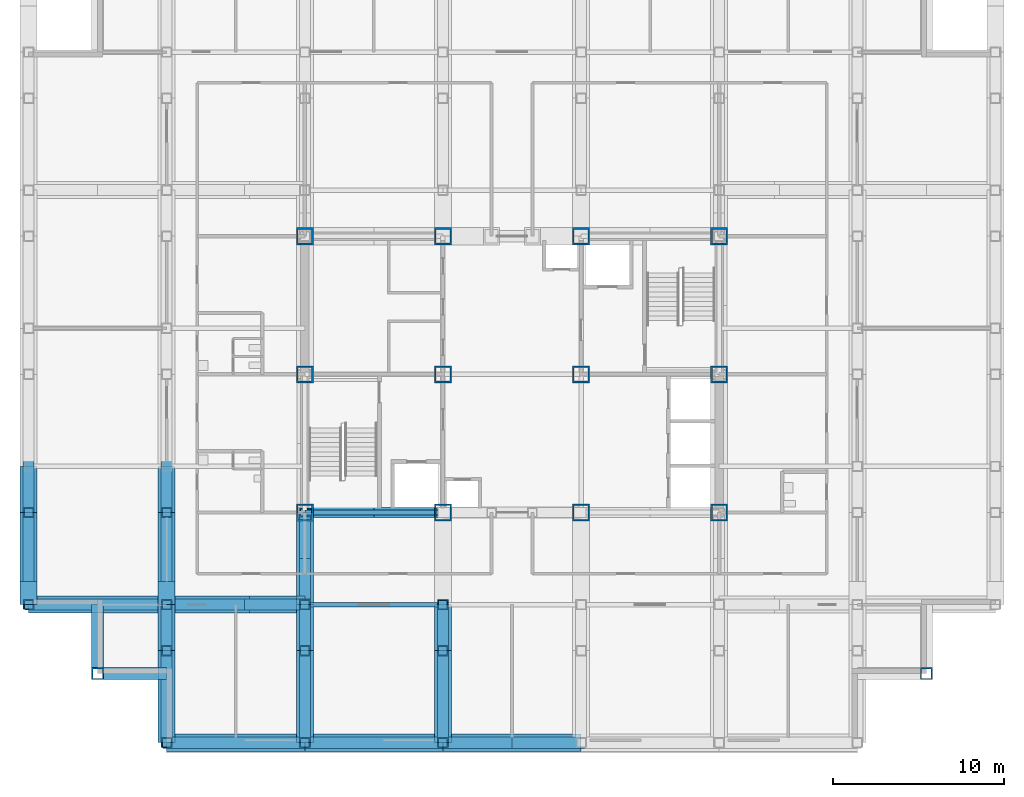
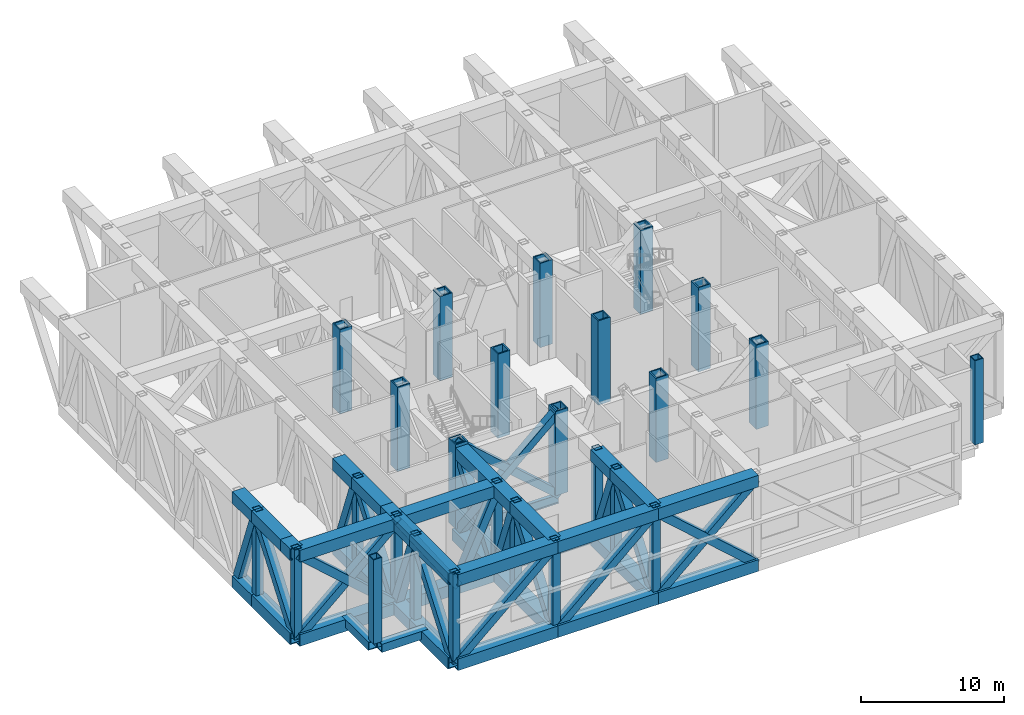
# One storey, part 1 of 13: 69 members, 14 columns, 4 beams.
"""IFC4 building model written with IfcOpenShell, lengths in metres."""

from ifc_helpers import new_model, si_unit, direction, frame, origin, origin_2d, place, context, subcontext, project, spatial, hollow_rectangle, i_section, extrude, material, material_profile, profile_set, type_object, element, save


model = new_model("IFC4")

# Units and contexts
model_context = context("Model", 3, precision=1e-05, world=origin(), true_north=direction((0.0, 1.0)))
body_context = subcontext(model_context, "Body", "Model", "MODEL_VIEW")
ifc_project = project(units=[si_unit("LENGTHUNIT", "METRE"), si_unit("AREAUNIT", "SQUARE_METRE"), si_unit("VOLUMEUNIT", "CUBIC_METRE"), si_unit("PLANEANGLEUNIT", "RADIAN"), si_unit("MASSUNIT", "GRAM", prefix="KILO")], contexts=[model_context])

# Site, building, storey
site_placement = place(None, origin())
site = spatial("IfcSite", under=ifc_project, at=site_placement, CompositionType="ELEMENT")
building_placement = place(site_placement, origin())
building = spatial("IfcBuilding", under=site, at=building_placement, Name="Kopane Lantern Tower", CompositionType="ELEMENT")
storey_placement = place(building_placement, frame((0.0, 0.0, 235.199951171875)))
storey = spatial("IfcBuildingStorey", under=building, at=storey_placement, Name="L61", CompositionType="ELEMENT", Elevation=235.199951171875)

# Columns
ifc_material_1 = material(Name="Steel S355JR", Category="steel")
ifc_material_profile_1 = material_profile(ifc_material_1, hollow_rectangle(XDim=1.0, YDim=1.0, WallThickness=0.10009765625, at=origin_2d()), Name="BOX 1000x1000x100")
ifc_profile_set_1 = profile_set([ifc_material_profile_1], Name="Steel S355JR")
column_type_1 = type_object("IfcColumnType", Name="COLUMN BOX 1000x1000x100", PredefinedType="COLUMN", material=ifc_profile_set_1)
for number, where, z_axis, x_axis, name in (
    (1, (16.199951171875, 24.300048828125, 0.0), (0.0, 0.0, 1.0), (1.0, 0.0, 0.0), "Column 4/E L61"),
    (2, (16.199951171875, 32.39990234375, 0.0), (0.0, 0.0, 1.0), (1.0, 0.0, 0.0), "Column 4/F L61"),
    (3, (16.199951171875, 40.5, 0.0), (0.0, 0.0, 1.0), (1.0, 0.0, 0.0), "Column 4/G L61"),
    (4, (24.300048828125, 24.300048828125, 0.0), (0.0, 0.0, 1.0), (1.0, 0.0, 0.0), "Column 5/E L61"),
    (5, (24.300048828125, 32.39990234375, 0.0), (0.0, 0.0, 1.0), (1.0, 0.0, 0.0), "Column 5/F L61"),
    (6, (24.300048828125, 40.5, 0.0), (0.0, 0.0, 1.0), (1.0, 0.0, 0.0), "Column 5/G L61"),
    (7, (32.39990234375, 24.300048828125, 0.0), (0.0, 0.0, 1.0), (1.0, 0.0, 0.0), "Column 6/E L61"),
    (8, (32.39990234375, 32.39990234375, 0.0), (0.0, 0.0, 1.0), (1.0, 0.0, 0.0), "Column 6/F L61"),
    (9, (32.39990234375, 40.5, 0.0), (0.0, 0.0, 1.0), (1.0, 0.0, 0.0), "Column 6/G L61"),
    (10, (40.5, 24.300048828125, 0.0), (0.0, 0.0, 1.0), (1.0, 0.0, 0.0), "Column 7/E L61"),
    (11, (40.5, 32.39990234375, 0.0), (0.0, 0.0, 1.0), (1.0, 0.0, 0.0), "Column 7/F L61"),
    (12, (40.5, 40.5, 0.0), (0.0, 0.0, 1.0), (1.0, 0.0, 0.0), "Column 7/G L61"),
):
    element("IfcColumn", number, at=place(storey_placement, frame(where, z_axis=z_axis, x_axis=x_axis)), inside=storey, type_object=column_type_1, Name=name, PredefinedType="COLUMN", context=body_context, shape_type="SweptSolid", body=[
        extrude(hollow_rectangle(XDim=1.0, YDim=1.0, WallThickness=0.10009765625, at=origin_2d()), origin(), (0.0, 0.0, 1.0), 7.199951171875),
    ])
ifc_material_2 = material(Name="Steel S355JR", Category="steel")
ifc_material_profile_2 = material_profile(ifc_material_2, hollow_rectangle(XDim=0.699951171875, YDim=0.699951171875, WallThickness=0.070068359375, at=origin_2d()), Name="BOX 700x700x70")
ifc_profile_set_2 = profile_set([ifc_material_profile_2], Name="Steel S355JR")
column_type_2 = type_object("IfcColumnType", Name="COLUMN BOX 700x700x70", PredefinedType="COLUMN", material=ifc_profile_set_2)
for number, where, z_axis, x_axis, name in (
    (13, (4.050048828125, 14.85009765625, 0.0), (0.0, 0.0, 1.0), (1.0, 0.0, 0.0), "Column 4.05/14.85 L61"),
    (14, (52.64990234375, 14.85009765625, 0.0), (0.0, 0.0, 1.0), (1.0, 0.0, 0.0), "Column 52.65/14.85 L61"),
):
    element("IfcColumn", number, at=place(storey_placement, frame(where, z_axis=z_axis, x_axis=x_axis)), inside=storey, type_object=column_type_2, Name=name, PredefinedType="COLUMN", context=body_context, shape_type="SweptSolid", body=[
        extrude(hollow_rectangle(XDim=0.699951171875, YDim=0.699951171875, WallThickness=0.070068359375, at=origin_2d()), origin(), (0.0, 0.0, 1.0), 7.199951171875),
    ])

# Members
ifc_material_3 = material(Name="Steel S355JR", Category="steel")
ifc_material_profile_3 = material_profile(ifc_material_3, hollow_rectangle(XDim=0.60009765625, YDim=0.60009765625, WallThickness=0.06005859375, at=origin_2d()), Name="BOX 600x600x60")
ifc_profile_set_3 = profile_set([ifc_material_profile_3], Name="Steel S355JR")
member_type_1 = type_object("IfcMemberType", Name="BRACE BOX 600x600x60", PredefinedType="BRACE", material=ifc_profile_set_3)
for number, where, z_axis, x_axis, name in (
    (15, (16.199951171875, 24.300048828125, -0.25), (0.747415533118, 0.0, 0.664356847525), (0.0, 1.0, 0.0), "Core brace L61"),
    (16, (24.300048828125, 24.300048828125, -0.25), (-0.747415533118, 0.0, 0.664356847525), (0.0, -1.0, 0.0), "Core brace L61"),
):
    element("IfcMember", number, at=place(storey_placement, frame(where, z_axis=z_axis, x_axis=x_axis)), inside=storey, type_object=member_type_1, Name=name, PredefinedType="BRACE", context=body_context, shape_type="SweptSolid", body=[
        extrude(hollow_rectangle(XDim=0.60009765625, YDim=0.60009765625, WallThickness=0.06005859375, at=origin_2d()), origin(), (0.0, 0.0, 1.0), 10.83740234375),
    ])

# Beams
ifc_material_4 = material(Name="Steel S355JR", Category="steel")
ifc_material_profile_4 = material_profile(ifc_material_4, hollow_rectangle(XDim=0.699951171875, YDim=0.699951171875, WallThickness=0.06005859375, at=origin_2d()), Name="BOX 700x700x60")
ifc_profile_set_4 = profile_set([ifc_material_profile_4], Name="Steel S355JR")
beam_type_1 = type_object("IfcBeamType", Name="EDGE BEAM BOX 700x700x60", PredefinedType="BEAM", material=ifc_profile_set_4)
beam_1_placement = place(storey_placement, frame((4.050048828125, 15.199951171875, -0.599853515625), z_axis=(0.0, 1.0, 0.0), x_axis=(-1.0, 0.0, 0.0)))
element("IfcBeam", 17, at=beam_1_placement, inside=storey, type_object=beam_type_1, Name="Edge Beam L61", PredefinedType="BEAM", context=body_context, shape_type="SweptSolid", body=[
    extrude(hollow_rectangle(XDim=0.699951171875, YDim=0.699951171875, WallThickness=0.06005859375, at=origin_2d()), origin(), (0.0, 0.0, 1.0), 3.699951171875),
])
beam_2_placement = place(storey_placement, frame((4.39990234375, 14.85009765625, -0.599853515625), z_axis=(1.0, 0.0, 0.0), x_axis=(0.0, 1.0, 0.0)))
element("IfcBeam", 18, at=beam_2_placement, inside=storey, type_object=beam_type_1, Name="Edge Beam L61", PredefinedType="BEAM", context=body_context, shape_type="SweptSolid", body=[
    extrude(hollow_rectangle(XDim=0.699951171875, YDim=0.699951171875, WallThickness=0.06005859375, at=origin_2d()), origin(), (0.0, 0.0, 1.0), 3.7001953125),
])
ifc_material_5 = material(Name="Steel S355JR", Category="steel")
ifc_material_profile_5 = material_profile(ifc_material_5, i_section(OverallWidth=0.2666015625, OverallDepth=0.76220703125, WebThickness=0.014404296875, FlangeThickness=0.021484375, FilletRadius=0.0166015625, at=origin_2d()), Name="UB 762x267x173")
ifc_profile_set_5 = profile_set([ifc_material_profile_5], Name="Steel S355JR")
beam_type_2 = type_object("IfcBeamType", Name="GIRDER UB 762x267x173", PredefinedType="BEAM", material=ifc_profile_set_5)
for number, where, z_axis, x_axis, name in (
    (19, (16.199951171875, 18.89990234375, -0.631103515625), (1.0, 0.0, 0.0), (0.0, 1.0, 0.0), "Girder L61"),
    (20, (16.199951171875, 24.300048828125, -0.631103515625), (1.0, 0.0, 0.0), (0.0, 1.0, 0.0), "Girder L61"),
):
    element("IfcBeam", number, at=place(storey_placement, frame(where, z_axis=z_axis, x_axis=x_axis)), inside=storey, type_object=beam_type_2, Name=name, PredefinedType="BEAM", context=body_context, shape_type="SweptSolid", body=[
        extrude(i_section(OverallWidth=0.2666015625, OverallDepth=0.76220703125, WebThickness=0.014404296875, FlangeThickness=0.021484375, FilletRadius=0.0166015625, at=origin_2d()), origin(), (0.0, 0.0, 1.0), 8.10009765625),
    ])

# Members
ifc_material_6 = material(Name="Steel S355JR", Category="steel")
ifc_material_profile_6 = material_profile(ifc_material_6, hollow_rectangle(XDim=1.0, YDim=1.0, WallThickness=0.080078125, at=origin_2d()), Name="BOX 1000x1000x80")
ifc_profile_set_6 = profile_set([ifc_material_profile_6], Name="Steel S355JR")
member_type_2 = type_object("IfcMemberType", Name="TRUSS CHORD BOX 1000x1000x80", PredefinedType="CHORD", material=ifc_profile_set_6)
member_1_placement = place(storey_placement, frame((0.0, 18.89990234375, -0.75), z_axis=(0.0, 1.0, 0.0), x_axis=(-1.0, 0.0, 0.0)))
element("IfcMember", 21, at=member_1_placement, inside=storey, type_object=member_type_2, Name="Transfer truss 2 L61 truss chord", PredefinedType="CHORD", context=body_context, shape_type="SweptSolid", body=[
    extrude(hollow_rectangle(XDim=1.0, YDim=1.0, WallThickness=0.080078125, at=origin_2d()), origin(), (0.0, 0.0, 1.0), 5.400146484375),
])
member_2_placement = place(storey_placement, frame((0.0, 24.300048828125, -0.75), z_axis=(0.0, 1.0, 0.0), x_axis=(-1.0, 0.0, 0.0)))
element("IfcMember", 22, at=member_2_placement, inside=storey, type_object=member_type_2, Name="Transfer truss 2 L61 truss chord", PredefinedType="CHORD", context=body_context, shape_type="SweptSolid", body=[
    extrude(hollow_rectangle(XDim=1.0, YDim=1.0, WallThickness=0.080078125, at=origin_2d()), origin(), (0.0, 0.0, 1.0), 2.699951171875),
])
member_3_placement = place(storey_placement, frame((0.0, 18.89990234375, 6.449951171875), z_axis=(0.0, 1.0, 0.0), x_axis=(-1.0, 0.0, 0.0)))
element("IfcMember", 23, at=member_3_placement, inside=storey, type_object=member_type_2, Name="Transfer truss 2 L61 truss chord", PredefinedType="CHORD", context=body_context, shape_type="SweptSolid", body=[
    extrude(hollow_rectangle(XDim=1.0, YDim=1.0, WallThickness=0.080078125, at=origin_2d()), origin(), (0.0, 0.0, 1.0), 1.35009765625),
])
member_4_placement = place(storey_placement, frame((0.0, 20.25, 6.449951171875), z_axis=(0.0, 1.0, 0.0), x_axis=(-1.0, 0.0, 0.0)))
element("IfcMember", 24, at=member_4_placement, inside=storey, type_object=member_type_2, Name="Transfer truss 2 L61 truss chord", PredefinedType="CHORD", context=body_context, shape_type="SweptSolid", body=[
    extrude(hollow_rectangle(XDim=1.0, YDim=1.0, WallThickness=0.080078125, at=origin_2d()), origin(), (0.0, 0.0, 1.0), 4.050048828125),
])
member_5_placement = place(storey_placement, frame((0.0, 24.300048828125, 6.449951171875), z_axis=(0.0, 1.0, 0.0), x_axis=(-1.0, 0.0, 0.0)))
element("IfcMember", 25, at=member_5_placement, inside=storey, type_object=member_type_2, Name="Transfer truss 2 L61 truss chord", PredefinedType="CHORD", context=body_context, shape_type="SweptSolid", body=[
    extrude(hollow_rectangle(XDim=1.0, YDim=1.0, WallThickness=0.080078125, at=origin_2d()), origin(), (0.0, 0.0, 1.0), 2.699951171875),
])
member_6_placement = place(storey_placement, frame((8.10009765625, 10.800048828125, -0.75), z_axis=(0.0, 1.0, 0.0), x_axis=(-1.0, 0.0, 0.0)))
element("IfcMember", 26, at=member_6_placement, inside=storey, type_object=member_type_2, Name="Transfer truss 3 L61 truss chord", PredefinedType="CHORD", context=body_context, shape_type="SweptSolid", body=[
    extrude(hollow_rectangle(XDim=1.0, YDim=1.0, WallThickness=0.080078125, at=origin_2d()), origin(), (0.0, 0.0, 1.0), 5.39990234375),
])
member_7_placement = place(storey_placement, frame((8.10009765625, 16.199951171875, -0.75), z_axis=(0.0, 1.0, 0.0), x_axis=(-1.0, 0.0, 0.0)))
element("IfcMember", 27, at=member_7_placement, inside=storey, type_object=member_type_2, Name="Transfer truss 3 L61 truss chord", PredefinedType="CHORD", context=body_context, shape_type="SweptSolid", body=[
    extrude(hollow_rectangle(XDim=1.0, YDim=1.0, WallThickness=0.080078125, at=origin_2d()), origin(), (0.0, 0.0, 1.0), 2.699951171875),
])
member_8_placement = place(storey_placement, frame((8.10009765625, 18.89990234375, -0.75), z_axis=(0.0, 1.0, 0.0), x_axis=(-1.0, 0.0, 0.0)))
element("IfcMember", 28, at=member_8_placement, inside=storey, type_object=member_type_2, Name="Transfer truss 3 L61 truss chord", PredefinedType="CHORD", context=body_context, shape_type="SweptSolid", body=[
    extrude(hollow_rectangle(XDim=1.0, YDim=1.0, WallThickness=0.080078125, at=origin_2d()), origin(), (0.0, 0.0, 1.0), 5.400146484375),
])
member_9_placement = place(storey_placement, frame((8.10009765625, 24.300048828125, -0.75), z_axis=(0.0, 1.0, 0.0), x_axis=(-1.0, 0.0, 0.0)))
element("IfcMember", 29, at=member_9_placement, inside=storey, type_object=member_type_2, Name="Transfer truss 3 L61 truss chord", PredefinedType="CHORD", context=body_context, shape_type="SweptSolid", body=[
    extrude(hollow_rectangle(XDim=1.0, YDim=1.0, WallThickness=0.080078125, at=origin_2d()), origin(), (0.0, 0.0, 1.0), 2.699951171875),
])
member_10_placement = place(storey_placement, frame((8.10009765625, 10.800048828125, 6.449951171875), z_axis=(0.0, 1.0, 0.0), x_axis=(-1.0, 0.0, 0.0)))
element("IfcMember", 30, at=member_10_placement, inside=storey, type_object=member_type_2, Name="Transfer truss 3 L61 truss chord", PredefinedType="CHORD", context=body_context, shape_type="SweptSolid", body=[
    extrude(hollow_rectangle(XDim=1.0, YDim=1.0, WallThickness=0.080078125, at=origin_2d()), origin(), (0.0, 0.0, 1.0), 5.39990234375),
])
member_11_placement = place(storey_placement, frame((8.10009765625, 16.199951171875, 6.449951171875), z_axis=(0.0, 1.0, 0.0), x_axis=(-1.0, 0.0, 0.0)))
element("IfcMember", 31, at=member_11_placement, inside=storey, type_object=member_type_2, Name="Transfer truss 3 L61 truss chord", PredefinedType="CHORD", context=body_context, shape_type="SweptSolid", body=[
    extrude(hollow_rectangle(XDim=1.0, YDim=1.0, WallThickness=0.080078125, at=origin_2d()), origin(), (0.0, 0.0, 1.0), 2.699951171875),
])
member_12_placement = place(storey_placement, frame((8.10009765625, 18.89990234375, 6.449951171875), z_axis=(0.0, 1.0, 0.0), x_axis=(-1.0, 0.0, 0.0)))
element("IfcMember", 32, at=member_12_placement, inside=storey, type_object=member_type_2, Name="Transfer truss 3 L61 truss chord", PredefinedType="CHORD", context=body_context, shape_type="SweptSolid", body=[
    extrude(hollow_rectangle(XDim=1.0, YDim=1.0, WallThickness=0.080078125, at=origin_2d()), origin(), (0.0, 0.0, 1.0), 1.35009765625),
])
member_13_placement = place(storey_placement, frame((8.10009765625, 20.25, 6.449951171875), z_axis=(0.0, 1.0, 0.0), x_axis=(-1.0, 0.0, 0.0)))
element("IfcMember", 33, at=member_13_placement, inside=storey, type_object=member_type_2, Name="Transfer truss 3 L61 truss chord", PredefinedType="CHORD", context=body_context, shape_type="SweptSolid", body=[
    extrude(hollow_rectangle(XDim=1.0, YDim=1.0, WallThickness=0.080078125, at=origin_2d()), origin(), (0.0, 0.0, 1.0), 4.050048828125),
])
member_14_placement = place(storey_placement, frame((8.10009765625, 24.300048828125, 6.449951171875), z_axis=(0.0, 1.0, 0.0), x_axis=(-1.0, 0.0, 0.0)))
element("IfcMember", 34, at=member_14_placement, inside=storey, type_object=member_type_2, Name="Transfer truss 3 L61 truss chord", PredefinedType="CHORD", context=body_context, shape_type="SweptSolid", body=[
    extrude(hollow_rectangle(XDim=1.0, YDim=1.0, WallThickness=0.080078125, at=origin_2d()), origin(), (0.0, 0.0, 1.0), 2.699951171875),
])
member_15_placement = place(storey_placement, frame((16.199951171875, 10.800048828125, -0.75), z_axis=(0.0, 1.0, 0.0), x_axis=(-1.0, 0.0, 0.0)))
element("IfcMember", 35, at=member_15_placement, inside=storey, type_object=member_type_2, Name="Transfer truss 4 L61 truss chord", PredefinedType="CHORD", context=body_context, shape_type="SweptSolid", body=[
    extrude(hollow_rectangle(XDim=1.0, YDim=1.0, WallThickness=0.080078125, at=origin_2d()), origin(), (0.0, 0.0, 1.0), 5.39990234375),
])
member_16_placement = place(storey_placement, frame((16.199951171875, 16.199951171875, -0.75), z_axis=(0.0, 1.0, 0.0), x_axis=(-1.0, 0.0, 0.0)))
element("IfcMember", 36, at=member_16_placement, inside=storey, type_object=member_type_2, Name="Transfer truss 4 L61 truss chord", PredefinedType="CHORD", context=body_context, shape_type="SweptSolid", body=[
    extrude(hollow_rectangle(XDim=1.0, YDim=1.0, WallThickness=0.080078125, at=origin_2d()), origin(), (0.0, 0.0, 1.0), 2.699951171875),
])
member_17_placement = place(storey_placement, frame((16.199951171875, 18.89990234375, -0.75), z_axis=(0.0, 1.0, 0.0), x_axis=(-1.0, 0.0, 0.0)))
element("IfcMember", 37, at=member_17_placement, inside=storey, type_object=member_type_2, Name="Transfer truss 4 L61 truss chord", PredefinedType="CHORD", context=body_context, shape_type="SweptSolid", body=[
    extrude(hollow_rectangle(XDim=1.0, YDim=1.0, WallThickness=0.080078125, at=origin_2d()), origin(), (0.0, 0.0, 1.0), 5.400146484375),
])
member_18_placement = place(storey_placement, frame((16.199951171875, 10.800048828125, 6.449951171875), z_axis=(0.0, 1.0, 0.0), x_axis=(-1.0, 0.0, 0.0)))
element("IfcMember", 38, at=member_18_placement, inside=storey, type_object=member_type_2, Name="Transfer truss 4 L61 truss chord", PredefinedType="CHORD", context=body_context, shape_type="SweptSolid", body=[
    extrude(hollow_rectangle(XDim=1.0, YDim=1.0, WallThickness=0.080078125, at=origin_2d()), origin(), (0.0, 0.0, 1.0), 5.39990234375),
])
member_19_placement = place(storey_placement, frame((16.199951171875, 16.199951171875, 6.449951171875), z_axis=(0.0, 1.0, 0.0), x_axis=(-1.0, 0.0, 0.0)))
element("IfcMember", 39, at=member_19_placement, inside=storey, type_object=member_type_2, Name="Transfer truss 4 L61 truss chord", PredefinedType="CHORD", context=body_context, shape_type="SweptSolid", body=[
    extrude(hollow_rectangle(XDim=1.0, YDim=1.0, WallThickness=0.080078125, at=origin_2d()), origin(), (0.0, 0.0, 1.0), 2.699951171875),
])
member_20_placement = place(storey_placement, frame((16.199951171875, 18.89990234375, 6.449951171875), z_axis=(0.0, 1.0, 0.0), x_axis=(-1.0, 0.0, 0.0)))
element("IfcMember", 40, at=member_20_placement, inside=storey, type_object=member_type_2, Name="Transfer truss 4 L61 truss chord", PredefinedType="CHORD", context=body_context, shape_type="SweptSolid", body=[
    extrude(hollow_rectangle(XDim=1.0, YDim=1.0, WallThickness=0.080078125, at=origin_2d()), origin(), (0.0, 0.0, 1.0), 5.400146484375),
])
member_21_placement = place(storey_placement, frame((24.300048828125, 10.800048828125, -0.75), z_axis=(0.0, 1.0, 0.0), x_axis=(-1.0, 0.0, 0.0)))
element("IfcMember", 41, at=member_21_placement, inside=storey, type_object=member_type_2, Name="Transfer truss 5 L61 truss chord", PredefinedType="CHORD", context=body_context, shape_type="SweptSolid", body=[
    extrude(hollow_rectangle(XDim=1.0, YDim=1.0, WallThickness=0.080078125, at=origin_2d()), origin(), (0.0, 0.0, 1.0), 5.39990234375),
])
member_22_placement = place(storey_placement, frame((24.300048828125, 16.199951171875, -0.75), z_axis=(0.0, 1.0, 0.0), x_axis=(-1.0, 0.0, 0.0)))
element("IfcMember", 42, at=member_22_placement, inside=storey, type_object=member_type_2, Name="Transfer truss 5 L61 truss chord", PredefinedType="CHORD", context=body_context, shape_type="SweptSolid", body=[
    extrude(hollow_rectangle(XDim=1.0, YDim=1.0, WallThickness=0.080078125, at=origin_2d()), origin(), (0.0, 0.0, 1.0), 2.699951171875),
])
member_23_placement = place(storey_placement, frame((24.300048828125, 10.800048828125, 6.449951171875), z_axis=(0.0, 1.0, 0.0), x_axis=(-1.0, 0.0, 0.0)))
element("IfcMember", 43, at=member_23_placement, inside=storey, type_object=member_type_2, Name="Transfer truss 5 L61 truss chord", PredefinedType="CHORD", context=body_context, shape_type="SweptSolid", body=[
    extrude(hollow_rectangle(XDim=1.0, YDim=1.0, WallThickness=0.080078125, at=origin_2d()), origin(), (0.0, 0.0, 1.0), 5.39990234375),
])
member_24_placement = place(storey_placement, frame((24.300048828125, 16.199951171875, 6.449951171875), z_axis=(0.0, 1.0, 0.0), x_axis=(-1.0, 0.0, 0.0)))
element("IfcMember", 44, at=member_24_placement, inside=storey, type_object=member_type_2, Name="Transfer truss 5 L61 truss chord", PredefinedType="CHORD", context=body_context, shape_type="SweptSolid", body=[
    extrude(hollow_rectangle(XDim=1.0, YDim=1.0, WallThickness=0.080078125, at=origin_2d()), origin(), (0.0, 0.0, 1.0), 2.699951171875),
])
for number, where, z_axis, x_axis, name in (
    (45, (8.10009765625, 10.800048828125, -0.75), (1.0, 0.0, 0.0), (0.0, 1.0, 0.0), "Belt truss S L61 truss chord"),
    (46, (8.10009765625, 10.800048828125, 6.449951171875), (1.0, 0.0, 0.0), (0.0, 1.0, 0.0), "Belt truss S L61 truss chord"),
):
    element("IfcMember", number, at=place(storey_placement, frame(where, z_axis=z_axis, x_axis=x_axis)), inside=storey, type_object=member_type_2, Name=name, PredefinedType="CHORD", context=body_context, shape_type="SweptSolid", body=[
        extrude(hollow_rectangle(XDim=1.0, YDim=1.0, WallThickness=0.080078125, at=origin_2d()), origin(), (0.0, 0.0, 1.0), 8.099853515625),
    ])
for number, where, z_axis, x_axis, name in (
    (47, (16.199951171875, 10.800048828125, -0.75), (1.0, 0.0, 0.0), (0.0, 1.0, 0.0), "Belt truss S L61 truss chord"),
    (48, (16.199951171875, 10.800048828125, 6.449951171875), (1.0, 0.0, 0.0), (0.0, 1.0, 0.0), "Belt truss S L61 truss chord"),
):
    element("IfcMember", number, at=place(storey_placement, frame(where, z_axis=z_axis, x_axis=x_axis)), inside=storey, type_object=member_type_2, Name=name, PredefinedType="CHORD", context=body_context, shape_type="SweptSolid", body=[
        extrude(hollow_rectangle(XDim=1.0, YDim=1.0, WallThickness=0.080078125, at=origin_2d()), origin(), (0.0, 0.0, 1.0), 8.10009765625),
    ])
for number, where, z_axis, x_axis, name in (
    (49, (24.300048828125, 10.800048828125, -0.75), (1.0, 0.0, 0.0), (0.0, 1.0, 0.0), "Belt truss S L61 truss chord"),
    (50, (24.300048828125, 10.800048828125, 6.449951171875), (1.0, 0.0, 0.0), (0.0, 1.0, 0.0), "Belt truss S L61 truss chord"),
):
    element("IfcMember", number, at=place(storey_placement, frame(where, z_axis=z_axis, x_axis=x_axis)), inside=storey, type_object=member_type_2, Name=name, PredefinedType="CHORD", context=body_context, shape_type="SweptSolid", body=[
        extrude(hollow_rectangle(XDim=1.0, YDim=1.0, WallThickness=0.080078125, at=origin_2d()), origin(), (0.0, 0.0, 1.0), 8.099853515625),
    ])
for number, where, z_axis, x_axis, name in (
    (51, (0.0, 18.89990234375, -0.75), (1.0, 0.0, 0.0), (0.0, 1.0, 0.0), "Outrigger truss W18.9 L61 truss chord"),
    (52, (0.0, 18.89990234375, 6.449951171875), (1.0, 0.0, 0.0), (0.0, 1.0, 0.0), "Outrigger truss W18.9 L61 truss chord"),
):
    element("IfcMember", number, at=place(storey_placement, frame(where, z_axis=z_axis, x_axis=x_axis)), inside=storey, type_object=member_type_2, Name=name, PredefinedType="CHORD", context=body_context, shape_type="SweptSolid", body=[
        extrude(hollow_rectangle(XDim=1.0, YDim=1.0, WallThickness=0.080078125, at=origin_2d()), origin(), (0.0, 0.0, 1.0), 8.10009765625),
    ])
member_25_placement = place(storey_placement, frame((8.10009765625, 18.89990234375, -0.75), z_axis=(1.0, 0.0, 0.0), x_axis=(0.0, 1.0, 0.0)))
element("IfcMember", 53, at=member_25_placement, inside=storey, type_object=member_type_2, Name="Outrigger truss W18.9 L61 truss chord", PredefinedType="CHORD", context=body_context, shape_type="SweptSolid", body=[
    extrude(hollow_rectangle(XDim=1.0, YDim=1.0, WallThickness=0.080078125, at=origin_2d()), origin(), (0.0, 0.0, 1.0), 4.85986328125),
])
member_26_placement = place(storey_placement, frame((12.9599609375, 18.89990234375, -0.75), z_axis=(1.0, 0.0, 0.0), x_axis=(0.0, 1.0, 0.0)))
element("IfcMember", 54, at=member_26_placement, inside=storey, type_object=member_type_2, Name="Outrigger truss W18.9 L61 truss chord", PredefinedType="CHORD", context=body_context, shape_type="SweptSolid", body=[
    extrude(hollow_rectangle(XDim=1.0, YDim=1.0, WallThickness=0.080078125, at=origin_2d()), origin(), (0.0, 0.0, 1.0), 3.239990234375),
])
member_27_placement = place(storey_placement, frame((8.10009765625, 18.89990234375, 6.449951171875), z_axis=(1.0, 0.0, 0.0), x_axis=(0.0, 1.0, 0.0)))
element("IfcMember", 55, at=member_27_placement, inside=storey, type_object=member_type_2, Name="Outrigger truss W18.9 L61 truss chord", PredefinedType="CHORD", context=body_context, shape_type="SweptSolid", body=[
    extrude(hollow_rectangle(XDim=1.0, YDim=1.0, WallThickness=0.080078125, at=origin_2d()), origin(), (0.0, 0.0, 1.0), 8.099853515625),
])
ifc_material_7 = material(Name="Steel S355JR", Category="steel")
ifc_material_profile_7 = material_profile(ifc_material_7, hollow_rectangle(XDim=0.64990234375, YDim=0.64990234375, WallThickness=0.06005859375, at=origin_2d()), Name="BOX 650x650x60")
ifc_profile_set_7 = profile_set([ifc_material_profile_7], Name="Steel S355JR")
member_type_3 = type_object("IfcMemberType", Name="TRUSS DIAGONAL BOX 650x650x60", PredefinedType="BRACE", material=ifc_profile_set_7)
member_28_placement = place(storey_placement, frame((0.0, 18.89990234375, -0.75), z_axis=(0.0, 0.600013020683, 0.799990234322), x_axis=(-1.0, 0.0, 0.0)))
element("IfcMember", 56, at=member_28_placement, inside=storey, type_object=member_type_3, Name="Transfer truss 2 L61 truss diagonal", PredefinedType="BRACE", context=body_context, shape_type="SweptSolid", body=[
    extrude(hollow_rectangle(XDim=0.64990234375, YDim=0.64990234375, WallThickness=0.06005859375, at=origin_2d()), origin(), (0.0, 0.0, 1.0), 9.0),
])
member_29_placement = place(storey_placement, frame((0.0, 27.0, -0.75), z_axis=(0.0, -0.351119962166, 0.936330482345), x_axis=(1.0, 0.0, 0.0)))
element("IfcMember", 57, at=member_29_placement, inside=storey, type_object=member_type_3, Name="Transfer truss 2 L61 truss diagonal", PredefinedType="BRACE", context=body_context, shape_type="SweptSolid", body=[
    extrude(hollow_rectangle(XDim=0.64990234375, YDim=0.64990234375, WallThickness=0.06005859375, at=origin_2d()), origin(), (0.0, 0.0, 1.0), 7.689453125),
])
member_30_placement = place(storey_placement, frame((8.10009765625, 10.800048828125, -0.75), z_axis=(0.0, 0.599995659666, 0.800003255232), x_axis=(-1.0, 0.0, 0.0)))
element("IfcMember", 58, at=member_30_placement, inside=storey, type_object=member_type_3, Name="Transfer truss 3 L61 truss diagonal", PredefinedType="BRACE", context=body_context, shape_type="SweptSolid", body=[
    extrude(hollow_rectangle(XDim=0.64990234375, YDim=0.64990234375, WallThickness=0.06005859375, at=origin_2d()), origin(), (0.0, 0.0, 1.0), 9.0),
])
member_31_placement = place(storey_placement, frame((8.10009765625, 18.89990234375, -0.75), z_axis=(0.0, -0.351119962166, 0.936330482345), x_axis=(1.0, 0.0, 0.0)))
element("IfcMember", 59, at=member_31_placement, inside=storey, type_object=member_type_3, Name="Transfer truss 3 L61 truss diagonal", PredefinedType="BRACE", context=body_context, shape_type="SweptSolid", body=[
    extrude(hollow_rectangle(XDim=0.64990234375, YDim=0.64990234375, WallThickness=0.06005859375, at=origin_2d()), origin(), (0.0, 0.0, 1.0), 7.689453125),
])
member_32_placement = place(storey_placement, frame((8.10009765625, 18.89990234375, -0.75), z_axis=(0.0, 0.600013020683, 0.799990234322), x_axis=(-1.0, 0.0, 0.0)))
element("IfcMember", 60, at=member_32_placement, inside=storey, type_object=member_type_3, Name="Transfer truss 3 L61 truss diagonal", PredefinedType="BRACE", context=body_context, shape_type="SweptSolid", body=[
    extrude(hollow_rectangle(XDim=0.64990234375, YDim=0.64990234375, WallThickness=0.06005859375, at=origin_2d()), origin(), (0.0, 0.0, 1.0), 9.0),
])
member_33_placement = place(storey_placement, frame((8.10009765625, 27.0, -0.75), z_axis=(0.0, -0.351119962166, 0.936330482345), x_axis=(1.0, 0.0, 0.0)))
element("IfcMember", 61, at=member_33_placement, inside=storey, type_object=member_type_3, Name="Transfer truss 3 L61 truss diagonal", PredefinedType="BRACE", context=body_context, shape_type="SweptSolid", body=[
    extrude(hollow_rectangle(XDim=0.64990234375, YDim=0.64990234375, WallThickness=0.06005859375, at=origin_2d()), origin(), (0.0, 0.0, 1.0), 7.689453125),
])
member_34_placement = place(storey_placement, frame((16.199951171875, 10.800048828125, -0.75), z_axis=(0.0, 0.599995659666, 0.800003255232), x_axis=(-1.0, 0.0, 0.0)))
element("IfcMember", 62, at=member_34_placement, inside=storey, type_object=member_type_3, Name="Transfer truss 4 L61 truss diagonal", PredefinedType="BRACE", context=body_context, shape_type="SweptSolid", body=[
    extrude(hollow_rectangle(XDim=0.64990234375, YDim=0.64990234375, WallThickness=0.06005859375, at=origin_2d()), origin(), (0.0, 0.0, 1.0), 9.0),
])
member_35_placement = place(storey_placement, frame((16.199951171875, 18.89990234375, -0.75), z_axis=(0.0, -0.351119962166, 0.936330482345), x_axis=(1.0, 0.0, 0.0)))
element("IfcMember", 63, at=member_35_placement, inside=storey, type_object=member_type_3, Name="Transfer truss 4 L61 truss diagonal", PredefinedType="BRACE", context=body_context, shape_type="SweptSolid", body=[
    extrude(hollow_rectangle(XDim=0.64990234375, YDim=0.64990234375, WallThickness=0.06005859375, at=origin_2d()), origin(), (0.0, 0.0, 1.0), 7.689453125),
])
member_36_placement = place(storey_placement, frame((24.300048828125, 10.800048828125, -0.75), z_axis=(0.0, 0.599995659666, 0.800003255232), x_axis=(-1.0, 0.0, 0.0)))
element("IfcMember", 64, at=member_36_placement, inside=storey, type_object=member_type_3, Name="Transfer truss 5 L61 truss diagonal", PredefinedType="BRACE", context=body_context, shape_type="SweptSolid", body=[
    extrude(hollow_rectangle(XDim=0.64990234375, YDim=0.64990234375, WallThickness=0.06005859375, at=origin_2d()), origin(), (0.0, 0.0, 1.0), 9.0),
])
member_37_placement = place(storey_placement, frame((24.300048828125, 18.89990234375, -0.75), z_axis=(0.0, -0.351119962166, 0.936330482345), x_axis=(1.0, 0.0, 0.0)))
element("IfcMember", 65, at=member_37_placement, inside=storey, type_object=member_type_3, Name="Transfer truss 5 L61 truss diagonal", PredefinedType="BRACE", context=body_context, shape_type="SweptSolid", body=[
    extrude(hollow_rectangle(XDim=0.64990234375, YDim=0.64990234375, WallThickness=0.06005859375, at=origin_2d()), origin(), (0.0, 0.0, 1.0), 7.689453125),
])
for number, where, z_axis, x_axis, name in (
    (66, (8.10009765625, 10.800048828125, -0.75), (0.747405589929, 0.0, 0.664368033655), (0.0, 1.0, 0.0), "Belt truss S L61 truss diagonal"),
    (67, (16.199951171875, 10.800048828125, -0.75), (0.747415533118, 0.0, 0.664356847525), (0.0, 1.0, 0.0), "Belt truss S L61 truss diagonal"),
    (68, (24.300048828125, 10.800048828125, -0.75), (0.747405589929, 0.0, 0.664368033655), (0.0, 1.0, 0.0), "Belt truss S L61 truss diagonal"),
    (69, (32.39990234375, 10.800048828125, -0.75), (-0.747405589929, 0.0, 0.664368033655), (0.0, -1.0, 0.0), "Belt truss S L61 truss diagonal"),
    (70, (0.0, 18.89990234375, -0.75), (0.747415533118, 0.0, 0.664356847525), (0.0, 1.0, 0.0), "Outrigger truss W18.9 L61 truss diagonal"),
    (71, (8.10009765625, 18.89990234375, -0.75), (-0.747415533118, 0.0, 0.664356847525), (0.0, -1.0, 0.0), "Outrigger truss W18.9 L61 truss diagonal"),
):
    element("IfcMember", number, at=place(storey_placement, frame(where, z_axis=z_axis, x_axis=x_axis)), inside=storey, type_object=member_type_3, Name=name, PredefinedType="BRACE", context=body_context, shape_type="SweptSolid", body=[
        extrude(hollow_rectangle(XDim=0.64990234375, YDim=0.64990234375, WallThickness=0.06005859375, at=origin_2d()), origin(), (0.0, 0.0, 1.0), 10.83740234375),
    ])
member_38_placement = place(storey_placement, frame((8.10009765625, 18.89990234375, 6.449951171875), z_axis=(0.559464649039, 0.0, -0.828854213041), x_axis=(0.0, 1.0, 0.0)))
element("IfcMember", 72, at=member_38_placement, inside=storey, type_object=member_type_3, Name="Outrigger truss W18.9 L61 truss diagonal", PredefinedType="BRACE", context=body_context, shape_type="SweptSolid", body=[
    extrude(hollow_rectangle(XDim=0.64990234375, YDim=0.64990234375, WallThickness=0.06005859375, at=origin_2d()), origin(), (0.0, 0.0, 1.0), 8.6865234375),
])
member_39_placement = place(storey_placement, frame((16.199951171875, 18.89990234375, 6.449951171875), z_axis=(-0.410365963067, 0.0, -0.911920926592), x_axis=(0.0, -1.0, 0.0)))
element("IfcMember", 73, at=member_39_placement, inside=storey, type_object=member_type_3, Name="Outrigger truss W18.9 L61 truss diagonal", PredefinedType="BRACE", context=body_context, shape_type="SweptSolid", body=[
    extrude(hollow_rectangle(XDim=0.64990234375, YDim=0.64990234375, WallThickness=0.06005859375, at=origin_2d()), origin(), (0.0, 0.0, 1.0), 7.895263671875),
])
for number, where, z_axis, x_axis, name in (
    (74, (16.199951171875, 18.89990234375, -0.75), (0.0, 0.600013020683, 0.799990234322), (-1.0, 0.0, 0.0), "Outrigger truss W18.9 L61 truss diagonal"),
    (75, (16.199951171875, 24.300048828125, -0.75), (0.0, -0.600013020683, 0.799990234322), (1.0, 0.0, 0.0), "Outrigger truss W18.9 L61 truss diagonal"),
):
    element("IfcMember", number, at=place(storey_placement, frame(where, z_axis=z_axis, x_axis=x_axis)), inside=storey, type_object=member_type_3, Name=name, PredefinedType="BRACE", context=body_context, shape_type="SweptSolid", body=[
        extrude(hollow_rectangle(XDim=0.64990234375, YDim=0.64990234375, WallThickness=0.06005859375, at=origin_2d()), origin(), (0.0, 0.0, 1.0), 9.0),
    ])
ifc_material_8 = material(Name="Steel S355JR", Category="steel")
ifc_material_profile_8 = material_profile(ifc_material_8, hollow_rectangle(XDim=0.60009765625, YDim=0.60009765625, WallThickness=0.050048828125, at=origin_2d()), Name="BOX 600x600x50")
ifc_profile_set_8 = profile_set([ifc_material_profile_8], Name="Steel S355JR")
member_type_4 = type_object("IfcMemberType", Name="TRUSS POST BOX 600x600x50", PredefinedType="POST", material=ifc_profile_set_8)
for number, where, z_axis, x_axis, name in (
    (76, (0.0, 18.89990234375, -0.75), (0.0, 0.0, 1.0), (1.0, 0.0, 0.0), "Transfer truss 2 L61 truss post"),
    (77, (0.0, 24.300048828125, -0.75), (0.0, 0.0, 1.0), (1.0, 0.0, 0.0), "Transfer truss 2 L61 truss post"),
    (78, (8.10009765625, 10.800048828125, -0.75), (0.0, 0.0, 1.0), (1.0, 0.0, 0.0), "Transfer truss 3 L61 truss post"),
    (79, (8.10009765625, 16.199951171875, -0.75), (0.0, 0.0, 1.0), (1.0, 0.0, 0.0), "Transfer truss 3 L61 truss post"),
    (80, (8.10009765625, 18.89990234375, -0.75), (0.0, 0.0, 1.0), (1.0, 0.0, 0.0), "Transfer truss 3 L61 truss post"),
    (81, (8.10009765625, 24.300048828125, -0.75), (0.0, 0.0, 1.0), (1.0, 0.0, 0.0), "Transfer truss 3 L61 truss post"),
    (82, (16.199951171875, 10.800048828125, -0.75), (0.0, 0.0, 1.0), (1.0, 0.0, 0.0), "Transfer truss 4 L61 truss post"),
    (83, (16.199951171875, 16.199951171875, -0.75), (0.0, 0.0, 1.0), (1.0, 0.0, 0.0), "Transfer truss 4 L61 truss post"),
    (84, (16.199951171875, 18.89990234375, -0.75), (0.0, 0.0, 1.0), (1.0, 0.0, 0.0), "Transfer truss 4 L61 truss post"),
    (85, (24.300048828125, 10.800048828125, -0.75), (0.0, 0.0, 1.0), (1.0, 0.0, 0.0), "Transfer truss 5 L61 truss post"),
    (86, (24.300048828125, 16.199951171875, -0.75), (0.0, 0.0, 1.0), (1.0, 0.0, 0.0), "Transfer truss 5 L61 truss post"),
    (87, (24.300048828125, 18.89990234375, -0.75), (0.0, 0.0, 1.0), (1.0, 0.0, 0.0), "Transfer truss 5 L61 truss post"),
):
    element("IfcMember", number, at=place(storey_placement, frame(where, z_axis=z_axis, x_axis=x_axis)), inside=storey, type_object=member_type_4, Name=name, PredefinedType="POST", context=body_context, shape_type="SweptSolid", body=[
        extrude(hollow_rectangle(XDim=0.60009765625, YDim=0.60009765625, WallThickness=0.050048828125, at=origin_2d()), origin(), (0.0, 0.0, 1.0), 7.699951171875),
    ])

save(model, "model.ifc")
